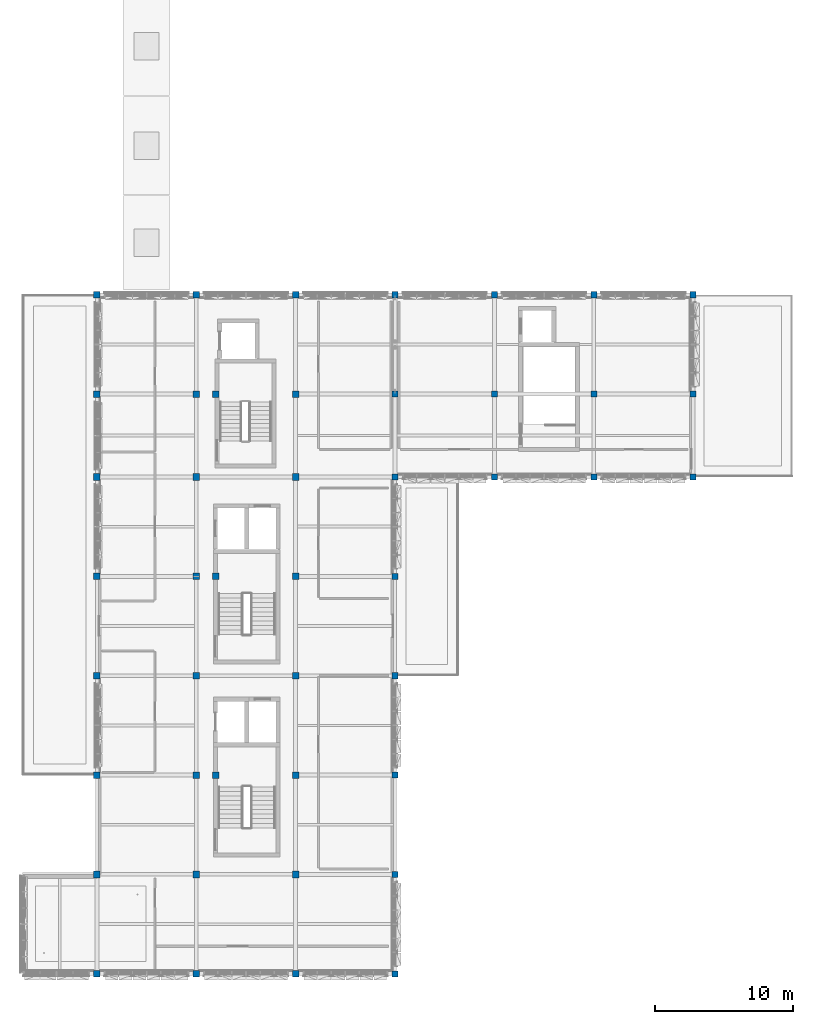
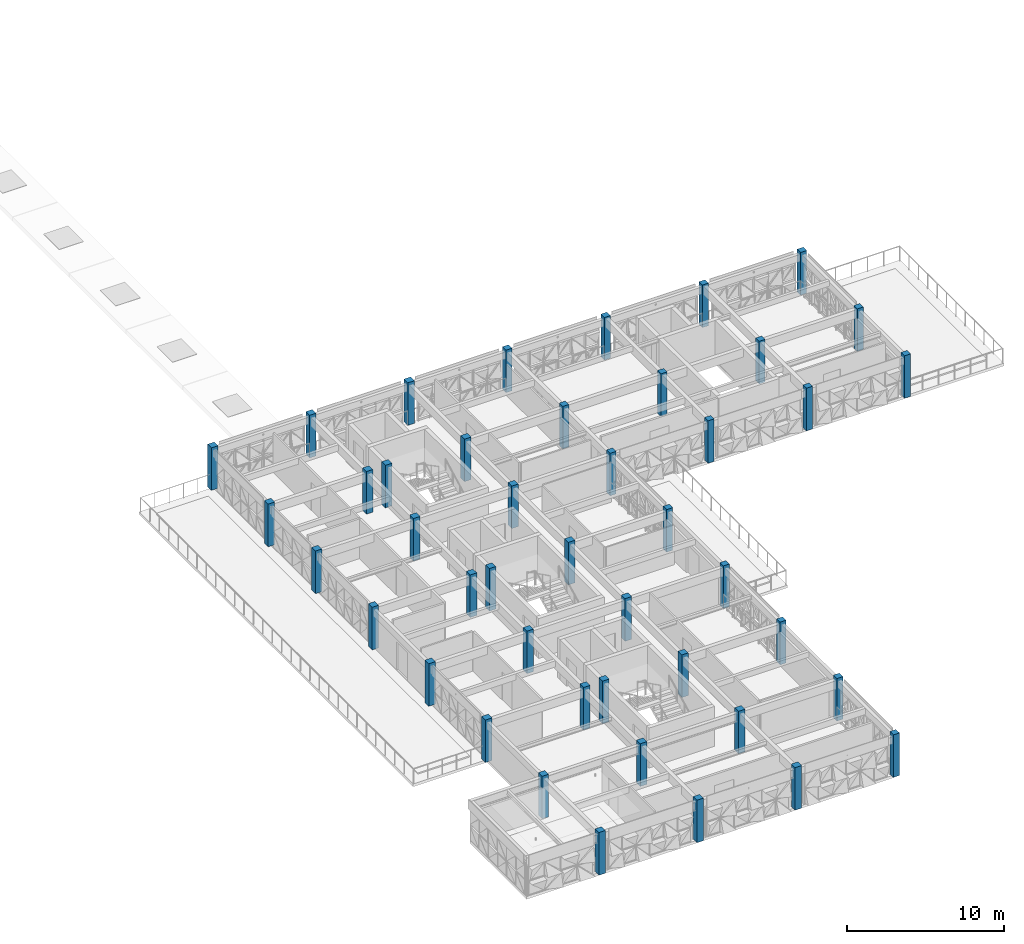
# One storey, part 1 of 35: 44 columns.
"""IFC4 building model written with IfcOpenShell, lengths in metres."""

import ifcopenshell
import ifcopenshell.guid

model = None  # the IFC model being written
_history = None  # IfcOwnerHistory: only IFC2X3 demands one
_inside = {}  # id of a spatial element -> (the spatial element, [elements in it])
_under = {}  # id of a project, library or spatial element -> (it, [spatial elements below it])
_declared = {}  # id of a project -> (the project, [libraries it declares])
_typed = {}  # id of a type object -> (the type object, [elements of that type])
_made_of = {}  # id of a material, layer set ... -> (it, [elements and type objects made of it])


def new_model(schema):
    """Start an empty IFC model of exactly this schema.

    Asked for "IFC4X3", IfcOpenShell would pick the latest addendum, in which some entities
    have other attributes; the version numbers below select the first issue.
    IFC2X3 requires an IfcOwnerHistory on every rooted entity: one is made here for all.
    """
    global model, _history
    if schema == "IFC4X3":
        model = ifcopenshell.file(schema_version=(4, 3, 0, 0))
    else:
        model = ifcopenshell.file(schema=schema)
    _inside.clear()
    _under.clear()
    _declared.clear()
    _typed.clear()
    _made_of.clear()
    _history = None
    if model.schema == "IFC2X3":
        org = make("IfcOrganization", Name="unknown")
        user = make(
            "IfcPersonAndOrganization",
            ThePerson=make("IfcPerson", FamilyName="unknown"),
            TheOrganization=org,
        )
        app = make(
            "IfcApplication",
            ApplicationDeveloper=org,
            Version="unknown",
            ApplicationFullName="unknown",
            ApplicationIdentifier="unknown",
        )
        _history = make(
            "IfcOwnerHistory",
            OwningUser=user,
            OwningApplication=app,
            ChangeAction="ADDED",
            CreationDate=0,
        )
    return model


def make(cls, **values):
    """One entity of the class cls with the attributes given. An attribute that is None is left unset."""
    return model.create_entity(
        cls, **{name: value for name, value in values.items() if value is not None}
    )


def rooted(cls, **values):
    """An entity with a GlobalId (a new one), such as an element, a storey or a relation."""
    return make(cls, GlobalId=ifcopenshell.guid.new(), OwnerHistory=_history, **values)


def si_unit(unit_type, name, prefix=None):
    """IfcSIUnit, for example si_unit("LENGTHUNIT", "METRE", prefix="MILLI")."""
    return make("IfcSIUnit", UnitType=unit_type, Prefix=prefix, Name=name)


def assignment(units):
    """IfcUnitAssignment: the units of a project."""
    return None if units is None else make("IfcUnitAssignment", Units=units)


def point(xyz):
    """IfcCartesianPoint."""
    return None if xyz is None else make("IfcCartesianPoint", Coordinates=xyz)


def direction(xyz):
    """IfcDirection."""
    return None if xyz is None else make("IfcDirection", DirectionRatios=xyz)


def frame(location, z_axis=None, x_axis=None):
    """IfcAxis2Placement3D, a coordinate frame: its origin and axes. An axis left out is left unset."""
    return make(
        "IfcAxis2Placement3D",
        Location=point(location),
        Axis=direction(z_axis),
        RefDirection=direction(x_axis),
    )


def frame_2d(location, x_axis=None):
    """IfcAxis2Placement2D, a coordinate frame in the plane: its origin and x axis."""
    return make(
        "IfcAxis2Placement2D", Location=point(location), RefDirection=direction(x_axis)
    )


def origin():
    """The frame at (0, 0, 0) with its axes left unset."""
    return frame((0.0, 0.0, 0.0))


def origin_2d():
    """The frame at (0, 0) in the plane with its x axis left unset."""
    return frame_2d((0.0, 0.0))


def place(relative_to, where):
    """IfcLocalPlacement: puts the frame where relative to a parent placement (None: the world)."""
    return make(
        "IfcLocalPlacement", PlacementRelTo=relative_to, RelativePlacement=where
    )


def context(
    kind, dimensions, precision=None, world=None, true_north=None, identifier=None
):
    """IfcGeometricRepresentationContext, for example the 3D "Model" context."""
    return make(
        "IfcGeometricRepresentationContext",
        ContextIdentifier=identifier,
        ContextType=kind,
        CoordinateSpaceDimension=dimensions,
        Precision=precision,
        WorldCoordinateSystem=world,
        TrueNorth=true_north,
    )


def subcontext(parent, identifier, kind, view, scale=None):
    """IfcGeometricRepresentationSubContext, for example "Body" below "Model"."""
    return make(
        "IfcGeometricRepresentationSubContext",
        ContextIdentifier=identifier,
        ContextType=kind,
        ParentContext=parent,
        TargetScale=scale,
        TargetView=view,
    )


def project(units=None, contexts=None):
    """IfcProject with its units and contexts."""
    return rooted(
        "IfcProject",
        Name="project",
        RepresentationContexts=contexts,
        UnitsInContext=assignment(units),
    )


def spatial(cls, under=None, at=None, **own):
    """A site, building, storey or space (cls), placed at a placement, below another one or the project."""
    s = rooted(cls, ObjectPlacement=at, **own)
    if under is not None:
        _under.setdefault(under.id(), (under, []))[1].append(s)
    return s


def profile(cls, at=None, kind="AREA", **sizes):
    """A parametric profile (cls). Its sizes go by their IFC names, for example OverallWidth=200.0."""
    return make(cls, ProfileType=kind, Position=at, **sizes)


def rectangle(**sizes):
    """IfcRectangleProfileDef."""
    return profile("IfcRectangleProfileDef", **sizes)


def extrude(swept, where, along, depth):
    """IfcExtrudedAreaSolid: the profile swept, set in the frame where, extruded along a direction by depth."""
    return make(
        "IfcExtrudedAreaSolid",
        SweptArea=swept,
        Position=where,
        ExtrudedDirection=direction(along),
        Depth=depth,
    )


def shape(context_of_items, identifier, shape_type, items):
    """IfcShapeRepresentation: the items that make up one representation, for example the "Body"."""
    return make(
        "IfcShapeRepresentation",
        ContextOfItems=context_of_items,
        RepresentationIdentifier=identifier,
        RepresentationType=shape_type,
        Items=items,
    )


def material(Name=None, Category=None):
    """IfcMaterial."""
    return make("IfcMaterial", Name=Name, Category=Category)


def material_profile(
    of_material, cross_section, Name=None, Category=None, Priority=None
):
    """IfcMaterialProfile: a cross section and its material."""
    return make(
        "IfcMaterialProfile",
        Name=Name,
        Material=of_material,
        Profile=cross_section,
        Priority=Priority,
        Category=Category,
    )


def profile_set(profiles, Name=None, composite=None):
    """IfcMaterialProfileSet."""
    return make(
        "IfcMaterialProfileSet",
        Name=Name,
        MaterialProfiles=profiles,
        CompositeProfile=composite,
    )


def made_of(thing, what):
    """Note that an element or type object is made of a material, layer set ...; save() writes the relation."""
    if what is not None:
        _made_of.setdefault(what.id(), (what, []))[1].append(thing)
    return thing


def type_object(cls, material=None, **own):
    """A type object (cls), such as IfcWallType, which elements share."""
    return made_of(rooted(cls, **own), material)


def element(
    cls,
    number,
    at=None,
    inside=None,
    cuts=None,
    type_object=None,
    material=None,
    context=None,
    identifier="Body",
    shape_type=None,
    held_by="IfcProductDefinitionShape",
    body=None,
    shapes=None,
    **own,
):
    """One element of the class cls, such as IfcWall. Its Tag is "e" and its number.

    at: its placement. inside: the storey or other place that contains it. cuts: it is an
    opening in that element (IfcRelVoidsElement). A single representation is given by context,
    identifier, shape_type and body (its items); several are given by shapes. held_by: the class
    of the entity that holds the representations. save() writes the other relations.
    """
    e = rooted(cls, Tag="e%d" % number, ObjectPlacement=at, **own)
    if body is not None:
        shapes = [shape(context, identifier, shape_type, body)]
    if shapes is not None:
        e.Representation = make(held_by, Representations=shapes)
    if inside is not None:
        _inside.setdefault(inside.id(), (inside, []))[1].append(e)
    if cuts is not None:
        rooted(
            "IfcRelVoidsElement", RelatingBuildingElement=cuts, RelatedOpeningElement=e
        )
    if type_object is not None:
        _typed.setdefault(type_object.id(), (type_object, []))[1].append(e)
    return made_of(e, material)


def aggregate(whole, parts):
    """IfcRelAggregates: a whole, such as a stair, and the parts it consists of."""
    return rooted("IfcRelAggregates", RelatingObject=whole, RelatedObjects=parts)


def save(model, path):
    """Write the relations noted so far, then the file.

    IfcRelAggregates (storeys below a building ...), IfcRelContainedInSpatialStructure (elements
    in a storey), IfcRelDefinesByType, IfcRelAssociatesMaterial and IfcRelDeclares: one each for
    every whole, place, type object, material and project.
    """
    for whole, parts in _under.values():
        aggregate(whole, parts)
    for where, things in _inside.values():
        rooted(
            "IfcRelContainedInSpatialStructure",
            RelatedElements=things,
            RelatingStructure=where,
        )
    for kind, things in _typed.values():
        rooted("IfcRelDefinesByType", RelatedObjects=things, RelatingType=kind)
    for what, things in _made_of.values():
        rooted("IfcRelAssociatesMaterial", RelatedObjects=things, RelatingMaterial=what)
    for by, libraries in _declared.values():
        rooted("IfcRelDeclares", RelatingContext=by, RelatedDefinitions=libraries)
    model.write(path)


model = new_model("IFC4")

# Units and contexts
model_context = context("Model", 3, precision=1e-05, world=origin(), true_north=direction((0.0, 1.0)))
body_context = subcontext(model_context, "Body", "Model", "MODEL_VIEW")
ifc_project = project(units=[si_unit("LENGTHUNIT", "METRE"), si_unit("AREAUNIT", "SQUARE_METRE"), si_unit("VOLUMEUNIT", "CUBIC_METRE"), si_unit("PLANEANGLEUNIT", "RADIAN"), si_unit("MASSUNIT", "GRAM", prefix="KILO")], contexts=[model_context])

# Site, building, storey
site_placement = place(None, origin())
site = spatial("IfcSite", under=ifc_project, at=site_placement, CompositionType="ELEMENT")
building_placement = place(site_placement, origin())
building = spatial("IfcBuilding", under=site, at=building_placement, Name="Alvorim Cloister Faculty of Sciences", CompositionType="ELEMENT")
storey_placement = place(building_placement, frame((0.0, 0.0, 22.949951171875)))
storey = spatial("IfcBuildingStorey", under=building, at=storey_placement, Name="L06", CompositionType="ELEMENT", Elevation=22.949951171875)

# Columns
ifc_material = material(Name="Glulam GL32h", Category="wood")
ifc_material_profile_1 = material_profile(ifc_material, rectangle(XDim=0.43994140625, YDim=0.43994140625, at=origin_2d()), Name="GL32-COL-440x440")
ifc_profile_set_1 = profile_set([ifc_material_profile_1], Name="Glulam GL32h")
column_type_1 = type_object("IfcColumnType", Name="COL-GL-440", PredefinedType="COLUMN", material=ifc_profile_set_1)
for number, where, z_axis, x_axis, name in (
    (1, (28.800048828125, 7.199951171875, 0.0), (0.0, 0.0, 1.0), (1.0, 0.0, 0.0), "L06 Column COL-1020"),
    (2, (28.800048828125, 14.39990234375, 0.0), (0.0, 0.0, 1.0), (1.0, 0.0, 0.0), "L06 Column COL-1021"),
    (3, (28.800048828125, 21.60009765625, 0.0), (0.0, 0.0, 1.0), (1.0, 0.0, 0.0), "L06 Column COL-1022"),
    (4, (28.800048828125, 28.800048828125, 0.0), (0.0, 0.0, 1.0), (1.0, 0.0, 0.0), "L06 Column COL-1023"),
    (5, (28.800048828125, 36.0, 0.0), (0.0, 0.0, 1.0), (1.0, 0.0, 0.0), "L06 Column COL-1024"),
    (6, (28.800048828125, 43.199951171875, 0.0), (0.0, 0.0, 1.0), (1.0, 0.0, 0.0), "L06 Column COL-1025"),
    (7, (28.800048828125, 49.199951171875, 0.0), (0.0, 0.0, 1.0), (1.0, 0.0, 0.0), "L06 Column COL-1026"),
    (8, (28.800048828125, 56.39990234375, 0.0), (0.0, 0.0, 1.0), (1.0, 0.0, 0.0), "L06 Column COL-1027"),
    (9, (36.0, 43.199951171875, 0.0), (0.0, 0.0, 1.0), (1.0, 0.0, 0.0), "L06 Column COL-1028"),
    (10, (36.0, 49.199951171875, 0.0), (0.0, 0.0, 1.0), (1.0, 0.0, 0.0), "L06 Column COL-1029"),
    (11, (36.0, 56.39990234375, 0.0), (0.0, 0.0, 1.0), (1.0, 0.0, 0.0), "L06 Column COL-1030"),
    (12, (43.199951171875, 43.199951171875, 0.0), (0.0, 0.0, 1.0), (1.0, 0.0, 0.0), "L06 Column COL-1031"),
    (13, (43.199951171875, 49.199951171875, 0.0), (0.0, 0.0, 1.0), (1.0, 0.0, 0.0), "L06 Column COL-1032"),
    (14, (43.199951171875, 56.39990234375, 0.0), (0.0, 0.0, 1.0), (1.0, 0.0, 0.0), "L06 Column COL-1033"),
    (15, (50.39990234375, 43.199951171875, 0.0), (0.0, 0.0, 1.0), (1.0, 0.0, 0.0), "L06 Column COL-1034"),
    (16, (50.39990234375, 49.199951171875, 0.0), (0.0, 0.0, 1.0), (1.0, 0.0, 0.0), "L06 Column COL-1035"),
    (17, (50.39990234375, 56.39990234375, 0.0), (0.0, 0.0, 1.0), (1.0, 0.0, 0.0), "L06 Column COL-1036"),
):
    element("IfcColumn", number, at=place(storey_placement, frame(where, z_axis=z_axis, x_axis=x_axis)), inside=storey, type_object=column_type_1, Name=name, PredefinedType="COLUMN", context=body_context, shape_type="SweptSolid", body=[
        extrude(rectangle(XDim=0.43994140625, YDim=0.43994140625, at=origin_2d()), origin(), (0.0, 0.0, 1.0), 3.300048828125),
    ])
ifc_material_profile_2 = material_profile(ifc_material, rectangle(XDim=0.47998046875, YDim=0.47998046875, at=origin_2d()), Name="GL32-COL-480x480")
ifc_profile_set_2 = profile_set([ifc_material_profile_2], Name="Glulam GL32h")
column_type_2 = type_object("IfcColumnType", Name="COL-GL-480", PredefinedType="COLUMN", material=ifc_profile_set_2)
for number, where, z_axis, x_axis, name in (
    (18, (7.199951171875, 7.199951171875, 0.0), (0.0, 0.0, 1.0), (1.0, 0.0, 0.0), "L06 Column COL-0993"),
    (19, (7.199951171875, 14.39990234375, 0.0), (0.0, 0.0, 1.0), (1.0, 0.0, 0.0), "L06 Column COL-0994"),
    (20, (7.199951171875, 21.60009765625, 0.0), (0.0, 0.0, 1.0), (1.0, 0.0, 0.0), "L06 Column COL-0995"),
    (21, (7.199951171875, 28.800048828125, 0.0), (0.0, 0.0, 1.0), (1.0, 0.0, 0.0), "L06 Column COL-0996"),
    (22, (7.199951171875, 36.0, 0.0), (0.0, 0.0, 1.0), (1.0, 0.0, 0.0), "L06 Column COL-0997"),
    (23, (7.199951171875, 43.199951171875, 0.0), (0.0, 0.0, 1.0), (1.0, 0.0, 0.0), "L06 Column COL-0998"),
    (24, (7.199951171875, 49.199951171875, 0.0), (0.0, 0.0, 1.0), (1.0, 0.0, 0.0), "L06 Column COL-0999"),
    (25, (7.199951171875, 56.39990234375, 0.0), (0.0, 0.0, 1.0), (1.0, 0.0, 0.0), "L06 Column COL-1000"),
    (26, (14.39990234375, 7.199951171875, 0.0), (0.0, 0.0, 1.0), (1.0, 0.0, 0.0), "L06 Column COL-1001"),
    (27, (14.39990234375, 14.39990234375, 0.0), (0.0, 0.0, 1.0), (1.0, 0.0, 0.0), "L06 Column COL-1002"),
    (28, (14.39990234375, 21.60009765625, 0.0), (0.0, 0.0, 1.0), (1.0, 0.0, 0.0), "L06 Column COL-1003"),
    (29, (14.39990234375, 28.800048828125, 0.0), (0.0, 0.0, 1.0), (1.0, 0.0, 0.0), "L06 Column COL-1004"),
    (30, (14.39990234375, 36.0, 0.0), (0.0, 0.0, 1.0), (1.0, 0.0, 0.0), "L06 Column COL-1005"),
    (31, (14.39990234375, 43.199951171875, 0.0), (0.0, 0.0, 1.0), (1.0, 0.0, 0.0), "L06 Column COL-1006"),
    (32, (14.39990234375, 49.199951171875, 0.0), (0.0, 0.0, 1.0), (1.0, 0.0, 0.0), "L06 Column COL-1007"),
    (33, (14.39990234375, 56.39990234375, 0.0), (0.0, 0.0, 1.0), (1.0, 0.0, 0.0), "L06 Column COL-1008"),
    (34, (15.800048828125, 21.60009765625, 0.0), (0.0, 0.0, 1.0), (1.0, 0.0, 0.0), "L06 Column COL-1009"),
    (35, (15.800048828125, 36.0, 0.0), (0.0, 0.0, 1.0), (1.0, 0.0, 0.0), "L06 Column COL-1010"),
    (36, (15.800048828125, 49.199951171875, 0.0), (0.0, 0.0, 1.0), (1.0, 0.0, 0.0), "L06 Column COL-1011"),
    (37, (21.60009765625, 7.199951171875, 0.0), (0.0, 0.0, 1.0), (1.0, 0.0, 0.0), "L06 Column COL-1012"),
    (38, (21.60009765625, 14.39990234375, 0.0), (0.0, 0.0, 1.0), (1.0, 0.0, 0.0), "L06 Column COL-1013"),
    (39, (21.60009765625, 21.60009765625, 0.0), (0.0, 0.0, 1.0), (1.0, 0.0, 0.0), "L06 Column COL-1014"),
    (40, (21.60009765625, 28.800048828125, 0.0), (0.0, 0.0, 1.0), (1.0, 0.0, 0.0), "L06 Column COL-1015"),
    (41, (21.60009765625, 36.0, 0.0), (0.0, 0.0, 1.0), (1.0, 0.0, 0.0), "L06 Column COL-1016"),
    (42, (21.60009765625, 43.199951171875, 0.0), (0.0, 0.0, 1.0), (1.0, 0.0, 0.0), "L06 Column COL-1017"),
    (43, (21.60009765625, 49.199951171875, 0.0), (0.0, 0.0, 1.0), (1.0, 0.0, 0.0), "L06 Column COL-1018"),
    (44, (21.60009765625, 56.39990234375, 0.0), (0.0, 0.0, 1.0), (1.0, 0.0, 0.0), "L06 Column COL-1019"),
):
    element("IfcColumn", number, at=place(storey_placement, frame(where, z_axis=z_axis, x_axis=x_axis)), inside=storey, type_object=column_type_2, Name=name, PredefinedType="COLUMN", context=body_context, shape_type="SweptSolid", body=[
        extrude(rectangle(XDim=0.47998046875, YDim=0.47998046875, at=origin_2d()), origin(), (0.0, 0.0, 1.0), 3.300048828125),
    ])

save(model, "model.ifc")
